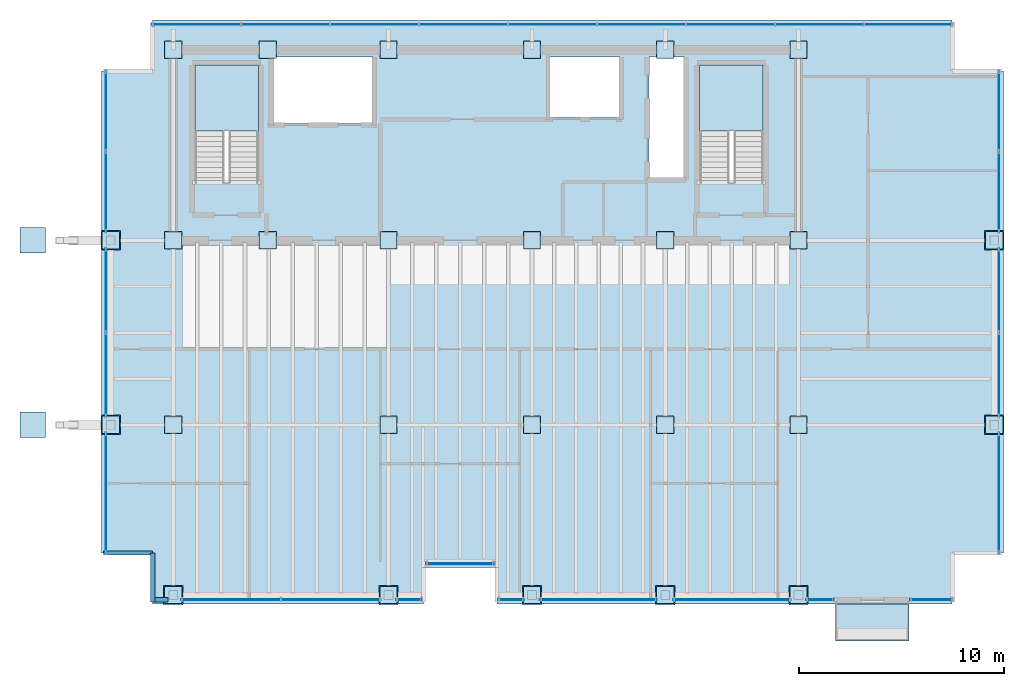
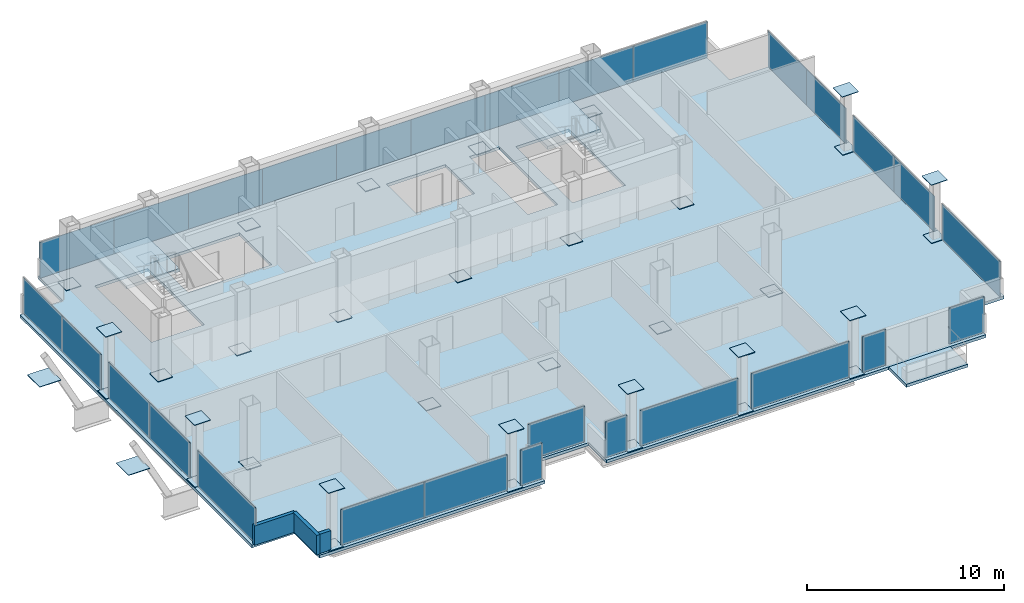
# One storey, part 13 of 17: 65 plates, 4 slabs, 3 walls, 5 openings, 17 elements without a shape of their own.
"""IFC4 building model written with IfcOpenShell, lengths in metres."""

from ifc_helpers import new_model, si_unit, direction, frame, frame_2d, origin, origin_2d, place, context, subcontext, project, spatial, polyline, rectangle, outline, extrude, material, layer, layer_set, type_object, element, aggregate, save


model = new_model("IFC4")

# Units and contexts
model_context = context("Model", 3, precision=1e-05, world=origin(), true_north=direction((0.0, 1.0)))
body_context = subcontext(model_context, "Body", "Model", "MODEL_VIEW")
ifc_project = project(units=[si_unit("LENGTHUNIT", "METRE"), si_unit("AREAUNIT", "SQUARE_METRE"), si_unit("VOLUMEUNIT", "CUBIC_METRE"), si_unit("PLANEANGLEUNIT", "RADIAN"), si_unit("MASSUNIT", "GRAM", prefix="KILO")], contexts=[model_context])

# Site, building, storey
site_placement = place(None, origin())
site = spatial("IfcSite", under=ifc_project, at=site_placement, CompositionType="ELEMENT")
building_placement = place(site_placement, origin())
building = spatial("IfcBuilding", under=site, at=building_placement, Name="Noeulbin Bourse Tower", CompositionType="ELEMENT")
storey_placement = place(building_placement, frame((0.0, 0.0, 226.699951171875)))
storey = spatial("IfcBuildingStorey", under=building, at=storey_placement, Name="L56", CompositionType="ELEMENT", Elevation=226.699951171875)

# Curtain wall, plate
ifc_material_1 = material(Name="High-Selectivity Low-Iron Glazing", Category="glass")
curtain_wall_type = type_object("IfcCurtainWallType", Name="CW-SYS-4", PredefinedType="NOTDEFINED", material=ifc_material_1)
curtain_wall_1_placement = place(storey_placement, origin())
curtain_wall_1 = element("IfcCurtainWall", 1, at=curtain_wall_1_placement, inside=storey, type_object=curtain_wall_type, Name="Unitised Curtain Wall CW-L56-SREC", PredefinedType="NOTDEFINED")
ifc_layer_1 = layer(ifc_material_1, 0.035888671875)
ifc_layer_set_1 = layer_set([ifc_layer_1], Name="High-Selectivity Low-Iron Glazing")
plate_type_1 = type_object("IfcPlateType", Name="CW-SYS-4-PNL", PredefinedType="CURTAIN_PANEL", material=ifc_layer_set_1)
plate_1_placement = place(storey_placement, frame((27.5, 13.22998046875, 0.0), z_axis=(0.0, 0.0, 1.0), x_axis=(1.0, 0.0, 0.0)))
plate_1 = element("IfcPlate", 2, at=plate_1_placement, type_object=plate_type_1, Name="Glazed Curtain Panel CW-L56-SREC-P00", PredefinedType="CURTAIN_PANEL", context=body_context, shape_type="SweptSolid", body=[
    extrude(rectangle(XDim=3.300048828125, YDim=0.035888671875, at=origin_2d()), origin(), (0.0, 0.0, 1.0), 2.219970703125),
])
aggregate(curtain_wall_1, [plate_1])

# Curtain wall, plates
curtain_wall_2_placement = place(storey_placement, origin())
curtain_wall_2 = element("IfcCurtainWall", 3, at=curtain_wall_2_placement, inside=storey, type_object=curtain_wall_type, Name="Unitised Curtain Wall CW-L56-S1-S1", PredefinedType="NOTDEFINED")
plate_2_placement = place(storey_placement, frame((16.3173828125, 11.469970703125, 0.0), z_axis=(0.0, 0.0, 1.0), x_axis=(1.0, 0.0, 0.0)))
plate_2 = element("IfcPlate", 4, at=plate_2_placement, type_object=plate_type_1, Name="Glazed Curtain Panel CW-L56-S1-S1-P00", PredefinedType="CURTAIN_PANEL", context=body_context, shape_type="SweptSolid", body=[
    extrude(rectangle(XDim=4.864990234375, YDim=0.035888671875, at=origin_2d()), origin(), (0.0, 0.0, 1.0), 2.219970703125),
])
plate_3_placement = place(storey_placement, frame((21.1826171875, 11.469970703125, 0.0), z_axis=(0.0, 0.0, 1.0), x_axis=(1.0, 0.0, 0.0)))
plate_3 = element("IfcPlate", 5, at=plate_3_placement, type_object=plate_type_1, Name="Glazed Curtain Panel CW-L56-S1-S1-P01", PredefinedType="CURTAIN_PANEL", context=body_context, shape_type="SweptSolid", body=[
    extrude(rectangle(XDim=4.864990234375, YDim=0.035888671875, at=origin_2d()), origin(), (0.0, 0.0, 1.0), 2.219970703125),
])
aggregate(curtain_wall_2, [plate_2, plate_3])

# Curtain wall, plate
curtain_wall_3_placement = place(storey_placement, origin())
curtain_wall_3 = element("IfcCurtainWall", 6, at=curtain_wall_3_placement, inside=storey, type_object=curtain_wall_type, Name="Unitised Curtain Wall CW-L56-S1-S2", PredefinedType="NOTDEFINED")
plate_4_placement = place(storey_placement, frame((25.017578125, 11.469970703125, 0.0), z_axis=(0.0, 0.0, 1.0), x_axis=(1.0, 0.0, 0.0)))
plate_4 = element("IfcPlate", 7, at=plate_4_placement, type_object=plate_type_1, Name="Glazed Curtain Panel CW-L56-S1-S2-P00", PredefinedType="CURTAIN_PANEL", context=body_context, shape_type="SweptSolid", body=[
    extrude(rectangle(XDim=1.264892578125, YDim=0.035888671875, at=origin_2d()), origin(), (0.0, 0.0, 1.0), 2.219970703125),
])
aggregate(curtain_wall_3, [plate_4])

curtain_wall_4_placement = place(storey_placement, origin())
curtain_wall_4 = element("IfcCurtainWall", 8, at=curtain_wall_4_placement, inside=storey, type_object=curtain_wall_type, Name="Unitised Curtain Wall CW-L56-S2-S1", PredefinedType="NOTDEFINED")
plate_5_placement = place(storey_placement, frame((29.982421875, 11.469970703125, 0.0), z_axis=(0.0, 0.0, 1.0), x_axis=(1.0, 0.0, 0.0)))
plate_5 = element("IfcPlate", 9, at=plate_5_placement, type_object=plate_type_1, Name="Glazed Curtain Panel CW-L56-S2-S1-P00", PredefinedType="CURTAIN_PANEL", context=body_context, shape_type="SweptSolid", body=[
    extrude(rectangle(XDim=1.264892578125, YDim=0.035888671875, at=origin_2d()), origin(), (0.0, 0.0, 1.0), 2.219970703125),
])
aggregate(curtain_wall_4, [plate_5])

curtain_wall_5_placement = place(storey_placement, origin())
curtain_wall_5 = element("IfcCurtainWall", 10, at=curtain_wall_5_placement, inside=storey, type_object=curtain_wall_type, Name="Unitised Curtain Wall CW-L56-S2-S2", PredefinedType="NOTDEFINED")
plate_6_placement = place(storey_placement, frame((34.25, 11.469970703125, 0.0), z_axis=(0.0, 0.0, 1.0), x_axis=(1.0, 0.0, 0.0)))
plate_6 = element("IfcPlate", 11, at=plate_6_placement, type_object=plate_type_1, Name="Glazed Curtain Panel CW-L56-S2-S2-P00", PredefinedType="CURTAIN_PANEL", context=body_context, shape_type="SweptSolid", body=[
    extrude(rectangle(XDim=5.72998046875, YDim=0.035888671875, at=origin_2d()), origin(), (0.0, 0.0, 1.0), 2.219970703125),
])
aggregate(curtain_wall_5, [plate_6])

curtain_wall_6_placement = place(storey_placement, origin())
curtain_wall_6 = element("IfcCurtainWall", 12, at=curtain_wall_6_placement, inside=storey, type_object=curtain_wall_type, Name="Unitised Curtain Wall CW-L56-S2-S3", PredefinedType="NOTDEFINED")
plate_7_placement = place(storey_placement, frame((40.75, 11.469970703125, 0.0), z_axis=(0.0, 0.0, 1.0), x_axis=(1.0, 0.0, 0.0)))
plate_7 = element("IfcPlate", 13, at=plate_7_placement, type_object=plate_type_1, Name="Glazed Curtain Panel CW-L56-S2-S3-P00", PredefinedType="CURTAIN_PANEL", context=body_context, shape_type="SweptSolid", body=[
    extrude(rectangle(XDim=5.72998046875, YDim=0.035888671875, at=origin_2d()), origin(), (0.0, 0.0, 1.0), 2.219970703125),
])
aggregate(curtain_wall_6, [plate_7])

curtain_wall_7_placement = place(storey_placement, origin())
curtain_wall_7 = element("IfcCurtainWall", 14, at=curtain_wall_7_placement, inside=storey, type_object=curtain_wall_type, Name="Unitised Curtain Wall CW-L56-S2-S4", PredefinedType="NOTDEFINED")
plate_8_placement = place(storey_placement, frame((45.0673828125, 11.469970703125, 0.0), z_axis=(0.0, 0.0, 1.0), x_axis=(1.0, 0.0, 0.0)))
plate_8 = element("IfcPlate", 15, at=plate_8_placement, type_object=plate_type_1, Name="Glazed Curtain Panel CW-L56-S2-S4-P00", PredefinedType="CURTAIN_PANEL", context=body_context, shape_type="SweptSolid", body=[
    extrude(rectangle(XDim=1.364990234375, YDim=0.035888671875, at=origin_2d()), origin(), (0.0, 0.0, 1.0), 2.219970703125),
])
aggregate(curtain_wall_7, [plate_8])

curtain_wall_8_placement = place(storey_placement, origin())
curtain_wall_8 = element("IfcCurtainWall", 16, at=curtain_wall_8_placement, inside=storey, type_object=curtain_wall_type, Name="Unitised Curtain Wall CW-L56-S3", PredefinedType="NOTDEFINED")
plate_9_placement = place(storey_placement, frame((50.485107421875, 11.469970703125, 0.0), z_axis=(0.0, 0.0, 1.0), x_axis=(1.0, 0.0, 0.0)))
plate_9 = element("IfcPlate", 17, at=plate_9_placement, type_object=plate_type_1, Name="Glazed Curtain Panel CW-L56-S3-P00", PredefinedType="CURTAIN_PANEL", context=body_context, shape_type="SweptSolid", body=[
    extrude(rectangle(XDim=2.070068359375, YDim=0.035888671875, at=origin_2d()), origin(), (0.0, 0.0, 1.0), 2.219970703125),
])
aggregate(curtain_wall_8, [plate_9])

# Curtain wall, plates
curtain_wall_9_placement = place(storey_placement, origin())
curtain_wall_9 = element("IfcCurtainWall", 18, at=curtain_wall_9_placement, inside=storey, type_object=curtain_wall_type, Name="Unitised Curtain Wall CW-L56-N", PredefinedType="NOTDEFINED")
plate_10_placement = place(storey_placement, frame((14.64892578125, 39.530029296875, 0.0), z_axis=(0.0, 0.0, 1.0), x_axis=(1.0, 0.0, 0.0)))
plate_10 = element("IfcPlate", 19, at=plate_10_placement, type_object=plate_type_1, Name="Glazed Curtain Panel CW-L56-N-P00", PredefinedType="CURTAIN_PANEL", context=body_context, shape_type="SweptSolid", body=[
    extrude(rectangle(XDim=4.337890625, YDim=0.035888671875, at=origin_2d()), origin(), (0.0, 0.0, 1.0), 2.219970703125),
])
plate_11_placement = place(storey_placement, frame((18.98681640625, 39.530029296875, 0.0), z_axis=(0.0, 0.0, 1.0), x_axis=(1.0, 0.0, 0.0)))
plate_11 = element("IfcPlate", 20, at=plate_11_placement, type_object=plate_type_1, Name="Glazed Curtain Panel CW-L56-N-P01", PredefinedType="CURTAIN_PANEL", context=body_context, shape_type="SweptSolid", body=[
    extrude(rectangle(XDim=4.337890625, YDim=0.035888671875, at=origin_2d()), origin(), (0.0, 0.0, 1.0), 2.219970703125),
])
plate_12_placement = place(storey_placement, frame((23.324462890625, 39.530029296875, 0.0), z_axis=(0.0, 0.0, 1.0), x_axis=(1.0, 0.0, 0.0)))
plate_12 = element("IfcPlate", 21, at=plate_12_placement, type_object=plate_type_1, Name="Glazed Curtain Panel CW-L56-N-P02", PredefinedType="CURTAIN_PANEL", context=body_context, shape_type="SweptSolid", body=[
    extrude(rectangle(XDim=4.337890625, YDim=0.035888671875, at=origin_2d()), origin(), (0.0, 0.0, 1.0), 2.219970703125),
])
plate_13_placement = place(storey_placement, frame((27.662109375, 39.530029296875, 0.0), z_axis=(0.0, 0.0, 1.0), x_axis=(1.0, 0.0, 0.0)))
plate_13 = element("IfcPlate", 22, at=plate_13_placement, type_object=plate_type_1, Name="Glazed Curtain Panel CW-L56-N-P03", PredefinedType="CURTAIN_PANEL", context=body_context, shape_type="SweptSolid", body=[
    extrude(rectangle(XDim=4.337890625, YDim=0.035888671875, at=origin_2d()), origin(), (0.0, 0.0, 1.0), 2.219970703125),
])
plate_14_placement = place(storey_placement, frame((32.0, 39.530029296875, 0.0), z_axis=(0.0, 0.0, 1.0), x_axis=(1.0, 0.0, 0.0)))
plate_14 = element("IfcPlate", 23, at=plate_14_placement, type_object=plate_type_1, Name="Glazed Curtain Panel CW-L56-N-P04", PredefinedType="CURTAIN_PANEL", context=body_context, shape_type="SweptSolid", body=[
    extrude(rectangle(XDim=4.337890625, YDim=0.035888671875, at=origin_2d()), origin(), (0.0, 0.0, 1.0), 2.219970703125),
])
plate_15_placement = place(storey_placement, frame((36.337890625, 39.530029296875, 0.0), z_axis=(0.0, 0.0, 1.0), x_axis=(1.0, 0.0, 0.0)))
plate_15 = element("IfcPlate", 24, at=plate_15_placement, type_object=plate_type_1, Name="Glazed Curtain Panel CW-L56-N-P05", PredefinedType="CURTAIN_PANEL", context=body_context, shape_type="SweptSolid", body=[
    extrude(rectangle(XDim=4.337890625, YDim=0.035888671875, at=origin_2d()), origin(), (0.0, 0.0, 1.0), 2.219970703125),
])
plate_16_placement = place(storey_placement, frame((40.675537109375, 39.530029296875, 0.0), z_axis=(0.0, 0.0, 1.0), x_axis=(1.0, 0.0, 0.0)))
plate_16 = element("IfcPlate", 25, at=plate_16_placement, type_object=plate_type_1, Name="Glazed Curtain Panel CW-L56-N-P06", PredefinedType="CURTAIN_PANEL", context=body_context, shape_type="SweptSolid", body=[
    extrude(rectangle(XDim=4.337890625, YDim=0.035888671875, at=origin_2d()), origin(), (0.0, 0.0, 1.0), 2.219970703125),
])
plate_17_placement = place(storey_placement, frame((45.01318359375, 39.530029296875, 0.0), z_axis=(0.0, 0.0, 1.0), x_axis=(1.0, 0.0, 0.0)))
plate_17 = element("IfcPlate", 26, at=plate_17_placement, type_object=plate_type_1, Name="Glazed Curtain Panel CW-L56-N-P07", PredefinedType="CURTAIN_PANEL", context=body_context, shape_type="SweptSolid", body=[
    extrude(rectangle(XDim=4.337890625, YDim=0.035888671875, at=origin_2d()), origin(), (0.0, 0.0, 1.0), 2.219970703125),
])
plate_18_placement = place(storey_placement, frame((49.35107421875, 39.530029296875, 0.0), z_axis=(0.0, 0.0, 1.0), x_axis=(1.0, 0.0, 0.0)))
plate_18 = element("IfcPlate", 27, at=plate_18_placement, type_object=plate_type_1, Name="Glazed Curtain Panel CW-L56-N-P08", PredefinedType="CURTAIN_PANEL", context=body_context, shape_type="SweptSolid", body=[
    extrude(rectangle(XDim=4.337890625, YDim=0.035888671875, at=origin_2d()), origin(), (0.0, 0.0, 1.0), 2.219970703125),
])
aggregate(curtain_wall_9, [plate_10, plate_11, plate_12, plate_13, plate_14, plate_15, plate_16, plate_17, plate_18])

# Curtain wall, plate
curtain_wall_10_placement = place(storey_placement, origin())
curtain_wall_10 = element("IfcCurtainWall", 28, at=curtain_wall_10_placement, inside=storey, type_object=curtain_wall_type, Name="Unitised Curtain Wall CW-L56-W-S1", PredefinedType="NOTDEFINED")
plate_19_placement = place(storey_placement, frame((10.219970703125, 16.672607421875, 0.0), z_axis=(0.0, 0.0, 1.0), x_axis=(0.0, 1.0, 0.0)))
plate_19 = element("IfcPlate", 29, at=plate_19_placement, type_object=plate_type_1, Name="Glazed Curtain Panel CW-L56-W-S1-P00", PredefinedType="CURTAIN_PANEL", context=body_context, shape_type="SweptSolid", body=[
    extrude(rectangle(XDim=5.885009765625, YDim=0.035888671875, at=origin_2d()), origin(), (0.0, 0.0, 1.0), 2.219970703125),
])
aggregate(curtain_wall_10, [plate_19])

# Curtain wall, plates
curtain_wall_11_placement = place(storey_placement, origin())
curtain_wall_11 = element("IfcCurtainWall", 30, at=curtain_wall_11_placement, inside=storey, type_object=curtain_wall_type, Name="Unitised Curtain Wall CW-L56-W-S2", PredefinedType="NOTDEFINED")
plate_20_placement = place(storey_placement, frame((10.219970703125, 22.4423828125, 0.0), z_axis=(0.0, 0.0, 1.0), x_axis=(0.0, 1.0, 0.0)))
plate_20 = element("IfcPlate", 31, at=plate_20_placement, type_object=plate_type_1, Name="Glazed Curtain Panel CW-L56-W-S2-P00", PredefinedType="CURTAIN_PANEL", context=body_context, shape_type="SweptSolid", body=[
    extrude(rectangle(XDim=4.114990234375, YDim=0.035888671875, at=origin_2d()), origin(), (0.0, 0.0, 1.0), 2.219970703125),
])
plate_21_placement = place(storey_placement, frame((10.219970703125, 26.5576171875, 0.0), z_axis=(0.0, 0.0, 1.0), x_axis=(0.0, 1.0, 0.0)))
plate_21 = element("IfcPlate", 32, at=plate_21_placement, type_object=plate_type_1, Name="Glazed Curtain Panel CW-L56-W-S2-P01", PredefinedType="CURTAIN_PANEL", context=body_context, shape_type="SweptSolid", body=[
    extrude(rectangle(XDim=4.114990234375, YDim=0.035888671875, at=origin_2d()), origin(), (0.0, 0.0, 1.0), 2.219970703125),
])
aggregate(curtain_wall_11, [plate_20, plate_21])

curtain_wall_12_placement = place(storey_placement, origin())
curtain_wall_12 = element("IfcCurtainWall", 33, at=curtain_wall_12_placement, inside=storey, type_object=curtain_wall_type, Name="Unitised Curtain Wall CW-L56-W-S3", PredefinedType="NOTDEFINED")
plate_22_placement = place(storey_placement, frame((10.219970703125, 31.356201171875, 0.0), z_axis=(0.0, 0.0, 1.0), x_axis=(0.0, 1.0, 0.0)))
plate_22 = element("IfcPlate", 34, at=plate_22_placement, type_object=plate_type_1, Name="Glazed Curtain Panel CW-L56-W-S3-P00", PredefinedType="CURTAIN_PANEL", context=body_context, shape_type="SweptSolid", body=[
    extrude(rectangle(XDim=3.9423828125, YDim=0.035888671875, at=origin_2d()), origin(), (0.0, 0.0, 1.0), 2.219970703125),
])
plate_23_placement = place(storey_placement, frame((10.219970703125, 35.298828125, 0.0), z_axis=(0.0, 0.0, 1.0), x_axis=(0.0, 1.0, 0.0)))
plate_23 = element("IfcPlate", 35, at=plate_23_placement, type_object=plate_type_1, Name="Glazed Curtain Panel CW-L56-W-S3-P01", PredefinedType="CURTAIN_PANEL", context=body_context, shape_type="SweptSolid", body=[
    extrude(rectangle(XDim=3.9423828125, YDim=0.035888671875, at=origin_2d()), origin(), (0.0, 0.0, 1.0), 2.219970703125),
])
aggregate(curtain_wall_12, [plate_22, plate_23])

# Curtain wall, plate
curtain_wall_13_placement = place(storey_placement, origin())
curtain_wall_13 = element("IfcCurtainWall", 36, at=curtain_wall_13_placement, inside=storey, type_object=curtain_wall_type, Name="Unitised Curtain Wall CW-L56-E-S1", PredefinedType="NOTDEFINED")
plate_24_placement = place(storey_placement, frame((53.780029296875, 16.672607421875, 0.0), z_axis=(0.0, 0.0, 1.0), x_axis=(0.0, 1.0, 0.0)))
plate_24 = element("IfcPlate", 37, at=plate_24_placement, type_object=plate_type_1, Name="Glazed Curtain Panel CW-L56-E-S1-P00", PredefinedType="CURTAIN_PANEL", context=body_context, shape_type="SweptSolid", body=[
    extrude(rectangle(XDim=5.885009765625, YDim=0.035888671875, at=origin_2d()), origin(), (0.0, 0.0, 1.0), 2.219970703125),
])
aggregate(curtain_wall_13, [plate_24])

# Curtain wall, plates
curtain_wall_14_placement = place(storey_placement, origin())
curtain_wall_14 = element("IfcCurtainWall", 38, at=curtain_wall_14_placement, inside=storey, type_object=curtain_wall_type, Name="Unitised Curtain Wall CW-L56-E-S2", PredefinedType="NOTDEFINED")
plate_25_placement = place(storey_placement, frame((53.780029296875, 22.4423828125, 0.0), z_axis=(0.0, 0.0, 1.0), x_axis=(0.0, 1.0, 0.0)))
plate_25 = element("IfcPlate", 39, at=plate_25_placement, type_object=plate_type_1, Name="Glazed Curtain Panel CW-L56-E-S2-P00", PredefinedType="CURTAIN_PANEL", context=body_context, shape_type="SweptSolid", body=[
    extrude(rectangle(XDim=4.114990234375, YDim=0.035888671875, at=origin_2d()), origin(), (0.0, 0.0, 1.0), 2.219970703125),
])
plate_26_placement = place(storey_placement, frame((53.780029296875, 26.5576171875, 0.0), z_axis=(0.0, 0.0, 1.0), x_axis=(0.0, 1.0, 0.0)))
plate_26 = element("IfcPlate", 40, at=plate_26_placement, type_object=plate_type_1, Name="Glazed Curtain Panel CW-L56-E-S2-P01", PredefinedType="CURTAIN_PANEL", context=body_context, shape_type="SweptSolid", body=[
    extrude(rectangle(XDim=4.114990234375, YDim=0.035888671875, at=origin_2d()), origin(), (0.0, 0.0, 1.0), 2.219970703125),
])
aggregate(curtain_wall_14, [plate_25, plate_26])

curtain_wall_15_placement = place(storey_placement, origin())
curtain_wall_15 = element("IfcCurtainWall", 41, at=curtain_wall_15_placement, inside=storey, type_object=curtain_wall_type, Name="Unitised Curtain Wall CW-L56-E-S3", PredefinedType="NOTDEFINED")
plate_27_placement = place(storey_placement, frame((53.780029296875, 31.356201171875, 0.0), z_axis=(0.0, 0.0, 1.0), x_axis=(0.0, 1.0, 0.0)))
plate_27 = element("IfcPlate", 42, at=plate_27_placement, type_object=plate_type_1, Name="Glazed Curtain Panel CW-L56-E-S3-P00", PredefinedType="CURTAIN_PANEL", context=body_context, shape_type="SweptSolid", body=[
    extrude(rectangle(XDim=3.9423828125, YDim=0.035888671875, at=origin_2d()), origin(), (0.0, 0.0, 1.0), 2.219970703125),
])
plate_28_placement = place(storey_placement, frame((53.780029296875, 35.298828125, 0.0), z_axis=(0.0, 0.0, 1.0), x_axis=(0.0, 1.0, 0.0)))
plate_28 = element("IfcPlate", 43, at=plate_28_placement, type_object=plate_type_1, Name="Glazed Curtain Panel CW-L56-E-S3-P01", PredefinedType="CURTAIN_PANEL", context=body_context, shape_type="SweptSolid", body=[
    extrude(rectangle(XDim=3.9423828125, YDim=0.035888671875, at=origin_2d()), origin(), (0.0, 0.0, 1.0), 2.219970703125),
])
aggregate(curtain_wall_15, [plate_27, plate_28])

# Plates
ifc_material_2 = material(Name="Steel S355", Category="steel")
ifc_layer_2 = layer(ifc_material_2, 0.030029296875)
ifc_layer_set_2 = layer_set([ifc_layer_2], Name="Steel S355")
plate_type_2 = type_object("IfcPlateType", Name="PLT-BN1", PredefinedType="USERDEFINED", material=ifc_layer_set_2)
for number, where, z_axis, x_axis, name in (
    (44, (13.5, 29.0, 0.0048828125), (0.0, 0.0, 1.0), (1.0, 0.0, 0.0), "Mega-Column Splice Plate BN1-L56-01"),
    (45, (13.5, 38.300048828125, 0.0048828125), (0.0, 0.0, 1.0), (1.0, 0.0, 0.0), "Mega-Column Splice Plate BN1-L56-02"),
    (46, (18.10009765625, 29.0, 0.0048828125), (0.0, 0.0, 1.0), (1.0, 0.0, 0.0), "Mega-Column Splice Plate BN1-L56-03"),
    (47, (18.10009765625, 38.300048828125, 0.0048828125), (0.0, 0.0, 1.0), (1.0, 0.0, 0.0), "Mega-Column Splice Plate BN1-L56-04"),
    (48, (24.0, 29.0, 0.0048828125), (0.0, 0.0, 1.0), (1.0, 0.0, 0.0), "Mega-Column Splice Plate BN1-L56-05"),
    (49, (24.0, 38.300048828125, 0.0048828125), (0.0, 0.0, 1.0), (1.0, 0.0, 0.0), "Mega-Column Splice Plate BN1-L56-06"),
    (50, (31.0, 29.0, 0.0048828125), (0.0, 0.0, 1.0), (1.0, 0.0, 0.0), "Mega-Column Splice Plate BN1-L56-07"),
    (51, (31.0, 38.300048828125, 0.0048828125), (0.0, 0.0, 1.0), (1.0, 0.0, 0.0), "Mega-Column Splice Plate BN1-L56-08"),
    (52, (37.5, 29.0, 0.0048828125), (0.0, 0.0, 1.0), (1.0, 0.0, 0.0), "Mega-Column Splice Plate BN1-L56-09"),
    (53, (37.5, 38.300048828125, 0.0048828125), (0.0, 0.0, 1.0), (1.0, 0.0, 0.0), "Mega-Column Splice Plate BN1-L56-10"),
    (54, (44.0, 29.0, 0.0048828125), (0.0, 0.0, 1.0), (1.0, 0.0, 0.0), "Mega-Column Splice Plate BN1-L56-11"),
    (55, (44.0, 38.300048828125, 0.0048828125), (0.0, 0.0, 1.0), (1.0, 0.0, 0.0), "Mega-Column Splice Plate BN1-L56-12"),
    (56, (13.5, 20.0, 0.0048828125), (0.0, 0.0, 1.0), (1.0, 0.0, 0.0), "Mega-Column Splice Plate BN1-L56-13"),
    (57, (24.0, 20.0, 0.0048828125), (0.0, 0.0, 1.0), (1.0, 0.0, 0.0), "Mega-Column Splice Plate BN1-L56-14"),
    (58, (31.0, 20.0, 0.0048828125), (0.0, 0.0, 1.0), (1.0, 0.0, 0.0), "Mega-Column Splice Plate BN1-L56-15"),
    (59, (37.5, 20.0, 0.0048828125), (0.0, 0.0, 1.0), (1.0, 0.0, 0.0), "Mega-Column Splice Plate BN1-L56-16"),
    (60, (44.0, 20.0, 0.0048828125), (0.0, 0.0, 1.0), (1.0, 0.0, 0.0), "Mega-Column Splice Plate BN1-L56-17"),
    (61, (10.449951171875, 20.0, 0.0048828125), (0.0, 0.0, 1.0), (1.0, 0.0, 0.0), "Perimeter Column Splice Plate BN1-L56-01"),
    (62, (10.449951171875, 29.0, 0.0048828125), (0.0, 0.0, 1.0), (1.0, 0.0, 0.0), "Perimeter Column Splice Plate BN1-L56-02"),
    (63, (13.5, 11.699951171875, 0.0048828125), (0.0, 0.0, 1.0), (1.0, 0.0, 0.0), "Perimeter Column Splice Plate BN1-L56-03"),
    (64, (24.0, 11.699951171875, 0.0048828125), (0.0, 0.0, 1.0), (1.0, 0.0, 0.0), "Perimeter Column Splice Plate BN1-L56-04"),
    (65, (31.0, 11.699951171875, 0.0048828125), (0.0, 0.0, 1.0), (1.0, 0.0, 0.0), "Perimeter Column Splice Plate BN1-L56-05"),
    (66, (37.5, 11.699951171875, 0.0048828125), (0.0, 0.0, 1.0), (1.0, 0.0, 0.0), "Perimeter Column Splice Plate BN1-L56-06"),
    (67, (44.0, 11.699951171875, 0.0048828125), (0.0, 0.0, 1.0), (1.0, 0.0, 0.0), "Perimeter Column Splice Plate BN1-L56-07"),
    (68, (53.550048828125, 20.0, 0.0048828125), (0.0, 0.0, 1.0), (1.0, 0.0, 0.0), "Perimeter Column Splice Plate BN1-L56-08"),
    (69, (53.550048828125, 29.0, 0.0048828125), (0.0, 0.0, 1.0), (1.0, 0.0, 0.0), "Perimeter Column Splice Plate BN1-L56-09"),
):
    element("IfcPlate", number, at=place(storey_placement, frame(where, z_axis=z_axis, x_axis=x_axis)), inside=storey, type_object=plate_type_2, Name=name, ObjectType="SPLICE PLATE", PredefinedType="USERDEFINED", context=body_context, shape_type="SweptSolid", body=[
        extrude(rectangle(XDim=0.85009765625, YDim=0.85009765625, at=origin_2d()), origin(), (0.0, 0.0, 1.0), 0.030029296875),
    ])
ifc_material_3 = material(Name="Steel S460", Category="steel")
ifc_layer_3 = layer(ifc_material_3, 0.0400390625)
ifc_layer_set_3 = layer_set([ifc_layer_3], Name="Steel S460")
plate_type_3 = type_object("IfcPlateType", Name="PLT-KN1", PredefinedType="USERDEFINED", material=ifc_layer_set_3)
for number, where, z_axis, x_axis, name in (
    (70, (6.64990234375, 20.0, 2.260009765625), (0.0, 0.0, 1.0), (1.0, 0.0, 0.0), "Exoskeleton Kink Gusset KN1-01"),
    (71, (6.64990234375, 29.0, 2.260009765625), (0.0, 0.0, 1.0), (1.0, 0.0, 0.0), "Exoskeleton Kink Gusset KN1-02"),
):
    element("IfcPlate", number, at=place(storey_placement, frame(where, z_axis=z_axis, x_axis=x_axis)), inside=storey, type_object=plate_type_3, Name=name, ObjectType="GUSSET PLATE", PredefinedType="USERDEFINED", context=body_context, shape_type="SweptSolid", body=[
        extrude(rectangle(XDim=1.25, YDim=1.25, at=origin_2d()), origin(), (0.0, 0.0, 1.0), 0.0400390625),
    ])
ifc_layer_4 = layer(ifc_material_2, 0.031982421875)
ifc_layer_set_4 = layer_set([ifc_layer_4], Name="Steel S355")
plate_type_4 = type_object("IfcPlateType", Name="PLT-KN3", PredefinedType="USERDEFINED", material=ifc_layer_set_4)
for number, where, z_axis, x_axis, name in (
    (72, (10.449951171875, 20.0, 3.88427734375), (0.0, 0.0, 1.0), (1.0, 0.0, 0.0), "Perimeter Column End Cap Plate KN3-01"),
    (73, (10.449951171875, 29.0, 3.88427734375), (0.0, 0.0, 1.0), (1.0, 0.0, 0.0), "Perimeter Column End Cap Plate KN3-02"),
    (74, (13.5, 11.699951171875, 3.64404296875), (0.0, 0.0, 1.0), (1.0, 0.0, 0.0), "Perimeter Column End Cap Plate KN3-03"),
    (75, (24.0, 11.699951171875, 3.64404296875), (0.0, 0.0, 1.0), (1.0, 0.0, 0.0), "Perimeter Column End Cap Plate KN3-04"),
    (76, (31.0, 11.699951171875, 3.64404296875), (0.0, 0.0, 1.0), (1.0, 0.0, 0.0), "Perimeter Column End Cap Plate KN3-05"),
    (77, (37.5, 11.699951171875, 3.64404296875), (0.0, 0.0, 1.0), (1.0, 0.0, 0.0), "Perimeter Column End Cap Plate KN3-06"),
    (78, (44.0, 11.699951171875, 3.64404296875), (0.0, 0.0, 1.0), (1.0, 0.0, 0.0), "Perimeter Column End Cap Plate KN3-07"),
    (79, (53.550048828125, 20.0, 3.64404296875), (0.0, 0.0, 1.0), (1.0, 0.0, 0.0), "Perimeter Column End Cap Plate KN3-08"),
    (80, (53.550048828125, 29.0, 3.64404296875), (0.0, 0.0, 1.0), (1.0, 0.0, 0.0), "Perimeter Column End Cap Plate KN3-09"),
):
    element("IfcPlate", number, at=place(storey_placement, frame(where, z_axis=z_axis, x_axis=x_axis)), inside=storey, type_object=plate_type_4, Name=name, ObjectType="END PLATE", PredefinedType="USERDEFINED", context=body_context, shape_type="SweptSolid", body=[
        extrude(rectangle(XDim=0.949951171875, YDim=0.949951171875, at=origin_2d()), origin(), (0.0, 0.0, 1.0), 0.031982421875),
    ])

# Stair, slab
ifc_material_4 = material(Name="Concrete C40/50", Category="concrete")
stair_type = type_object("IfcStairType", Name="STR-CORE-1560", PredefinedType="HALF_TURN_STAIR", material=ifc_material_4)
stair_1_placement = place(storey_placement, origin())
stair_1 = element("IfcStair", 81, at=stair_1_placement, inside=storey, type_object=stair_type, Name="L56 ST-1", PredefinedType="HALF_TURN_STAIR")
ifc_layer_5 = layer(ifc_material_4, 0.199951171875)
ifc_layer_set_5 = layer_set([ifc_layer_5], Name="Concrete C40/50")
slab_type_1 = type_object("IfcSlabType", Name="SLB-LND-200", PredefinedType="LANDING", material=ifc_layer_set_5)
slab_1_placement = place(storey_placement, frame((0.0, 0.0, 1.75)))
slab_1 = element("IfcSlab", 82, at=slab_1_placement, type_object=slab_type_1, Name="ST-1 landing 1", PredefinedType="LANDING", context=body_context, shape_type="SweptSolid", body=[
    extrude(outline(polyline([(17.64990234375, 34.330078125), (17.64990234375, 37.5439453125), (14.550048828125, 37.5439453125), (14.550048828125, 34.330078125), (17.64990234375, 34.330078125)])), origin(), (0.0, 0.0, 1.0), 0.199951171875),
])
aggregate(stair_1, [slab_1])

stair_2_placement = place(storey_placement, origin())
stair_2 = element("IfcStair", 83, at=stair_2_placement, inside=storey, type_object=stair_type, Name="L56 ST-2", PredefinedType="HALF_TURN_STAIR")
slab_2_placement = place(storey_placement, frame((0.0, 0.0, 1.75)))
slab_2 = element("IfcSlab", 84, at=slab_2_placement, type_object=slab_type_1, Name="ST-2 landing 1", PredefinedType="LANDING", context=body_context, shape_type="SweptSolid", body=[
    extrude(outline(polyline([(42.280029296875, 34.330078125), (42.280029296875, 37.5439453125), (39.179931640625, 37.5439453125), (39.179931640625, 34.330078125), (42.280029296875, 34.330078125)])), origin(), (0.0, 0.0, 1.0), 0.199951171875),
])
aggregate(stair_2, [slab_2])

# Slab, openings
ifc_layer_6 = layer(ifc_material_4, 0.179931640625)
ifc_layer_set_6 = layer_set([ifc_layer_6], Name="Concrete C40/50")
slab_type_2 = type_object("IfcSlabType", Name="SLB-TYP-180", PredefinedType="FLOOR", material=ifc_layer_set_6)
slab_3_placement = place(storey_placement, frame((0.0, 0.0, -0.179931640625)))
slab_3 = element("IfcSlab", 85, at=slab_3_placement, inside=storey, type_object=slab_type_2, Name="Tower Structural Floor Slab L56", PredefinedType="FLOOR", context=body_context, shape_type="SweptSolid", body=[
    extrude(outline(polyline([(12.5, 11.25), (25.699951171875, 11.25), (25.699951171875, 13.050048828125), (29.300048828125, 13.050048828125), (29.300048828125, 11.25), (51.5, 11.25), (51.5, 13.75), (54.0, 13.75), (54.0, 37.25), (51.5, 37.25), (51.5, 39.75), (12.5, 39.75), (12.5, 37.25), (10.0, 37.25), (10.0, 13.75), (12.5, 13.75), (12.5, 11.25)]), holes=[polyline([(17.64990234375, 31.81005859375), (17.64990234375, 37.5439453125), (14.550048828125, 37.5439453125), (14.550048828125, 31.81005859375), (17.64990234375, 31.81005859375)]), polyline([(42.280029296875, 31.81005859375), (42.280029296875, 37.5439453125), (39.179931640625, 37.5439453125), (39.179931640625, 31.81005859375), (42.280029296875, 31.81005859375)]), polyline([(18.35009765625, 34.699951171875), (23.25, 34.699951171875), (23.25, 37.949951171875), (18.35009765625, 37.949951171875), (18.35009765625, 34.699951171875)]), polyline([(36.699951171875, 32.050048828125), (38.449951171875, 32.050048828125), (38.449951171875, 37.949951171875), (36.699951171875, 37.949951171875), (36.699951171875, 32.050048828125)]), polyline([(31.85009765625, 35.0), (35.300048828125, 35.0), (35.300048828125, 37.949951171875), (31.85009765625, 37.949951171875), (31.85009765625, 35.0)])]), origin(), (0.0, 0.0, 1.0), 0.179931640625),
])
opening_1_placement = place(slab_3_placement, frame((0.0, 0.0, -0.010009765625)))
element("IfcOpeningElement", 86, at=opening_1_placement, cuts=slab_3, Name="Slab Shaft Opening SLB-L56-TWR-1", PredefinedType="OPENING", context=body_context, shape_type="SweptSolid", body=[
    extrude(outline(polyline([(17.64990234375, 31.81005859375), (17.64990234375, 37.5439453125), (14.550048828125, 37.5439453125), (14.550048828125, 31.81005859375), (17.64990234375, 31.81005859375)])), origin(), (0.0, 0.0, 1.0), 0.199951171875),
])
opening_2_placement = place(slab_3_placement, frame((0.0, 0.0, -0.010009765625)))
element("IfcOpeningElement", 87, at=opening_2_placement, cuts=slab_3, Name="Slab Shaft Opening SLB-L56-TWR-2", PredefinedType="OPENING", context=body_context, shape_type="SweptSolid", body=[
    extrude(outline(polyline([(42.280029296875, 31.81005859375), (42.280029296875, 37.5439453125), (39.179931640625, 37.5439453125), (39.179931640625, 31.81005859375), (42.280029296875, 31.81005859375)])), origin(), (0.0, 0.0, 1.0), 0.199951171875),
])
opening_3_placement = place(slab_3_placement, frame((0.0, 0.0, -0.010009765625)))
element("IfcOpeningElement", 88, at=opening_3_placement, cuts=slab_3, Name="Slab Shaft Opening SLB-L56-TWR-3", PredefinedType="OPENING", context=body_context, shape_type="SweptSolid", body=[
    extrude(outline(polyline([(18.35009765625, 34.699951171875), (23.25, 34.699951171875), (23.25, 37.949951171875), (18.35009765625, 37.949951171875), (18.35009765625, 34.699951171875)])), origin(), (0.0, 0.0, 1.0), 0.199951171875),
])
opening_4_placement = place(slab_3_placement, frame((0.0, 0.0, -0.010009765625)))
element("IfcOpeningElement", 89, at=opening_4_placement, cuts=slab_3, Name="Slab Shaft Opening SLB-L56-TWR-4", PredefinedType="OPENING", context=body_context, shape_type="SweptSolid", body=[
    extrude(outline(polyline([(36.699951171875, 32.050048828125), (38.449951171875, 32.050048828125), (38.449951171875, 37.949951171875), (36.699951171875, 37.949951171875), (36.699951171875, 32.050048828125)])), origin(), (0.0, 0.0, 1.0), 0.199951171875),
])
opening_5_placement = place(slab_3_placement, frame((0.0, 0.0, -0.010009765625)))
element("IfcOpeningElement", 90, at=opening_5_placement, cuts=slab_3, Name="Slab Shaft Opening SLB-L56-TWR-5", PredefinedType="OPENING", context=body_context, shape_type="SweptSolid", body=[
    extrude(outline(polyline([(31.85009765625, 35.0), (35.300048828125, 35.0), (35.300048828125, 37.949951171875), (31.85009765625, 37.949951171875), (31.85009765625, 35.0)])), origin(), (0.0, 0.0, 1.0), 0.199951171875),
])

# Slab
slab_4_placement = place(storey_placement, frame((0.0, 0.0, -0.179931640625)))
element("IfcSlab", 91, at=slab_4_placement, inside=storey, type_object=slab_type_2, Name="Cantilevered Tree-Balcony Slab L56", PredefinedType="FLOOR", context=body_context, shape_type="SweptSolid", body=[
    extrude(outline(polyline([(45.800048828125, 9.449951171875), (49.39990234375, 9.449951171875), (49.39990234375, 11.25), (45.800048828125, 11.25), (45.800048828125, 9.449951171875)])), origin(), (0.0, 0.0, 1.0), 0.179931640625),
])

# Walls
ifc_layer_7 = layer(ifc_material_4, 0.199951171875)
ifc_layer_set_7 = layer_set([ifc_layer_7], Name="Concrete C40/50")
wall_type = type_object("IfcWallType", Name="WAL-PAR-200", PredefinedType="PARAPET", material=ifc_layer_set_7)
wall_placement = place(storey_placement, frame((12.60009765625, 11.469970703125, 0.0), z_axis=(0.0, 0.0, 1.0), x_axis=(1.0, 0.0, 0.0)))
element("IfcWall", 92, at=wall_placement, inside=storey, type_object=wall_type, Name="Perimeter Pier Spandrel Parapet L56-S1", PredefinedType="PARAPET", context=body_context, shape_type="SweptSolid", body=[
    extrude(rectangle(XDim=0.65478515625, YDim=0.199951171875, at=frame_2d((0.327392578125, 0.0))), origin(), (0.0, 0.0, 1.0), 1.199951171875),
])
for number, where, z_axis, x_axis, name in (
    (93, (10.10009765625, 13.75, 0.0), (0.0, 0.0, 1.0), (1.0, 0.0, 0.0), "Corner Notch Parapet L56-SW1"),
    (94, (12.5, 13.75, 0.0), (0.0, 0.0, 1.0), (0.0, -1.0, 0.0), "Corner Notch Parapet L56-SW2"),
):
    element("IfcWall", number, at=place(storey_placement, frame(where, z_axis=z_axis, x_axis=x_axis)), inside=storey, type_object=wall_type, Name=name, PredefinedType="PARAPET", context=body_context, shape_type="SweptSolid", body=[
        extrude(rectangle(XDim=2.39990234375, YDim=0.199951171875, at=frame_2d((1.199951171875, 0.0))), origin(), (0.0, 0.0, 1.0), 1.199951171875),
    ])

save(model, "model.ifc")
